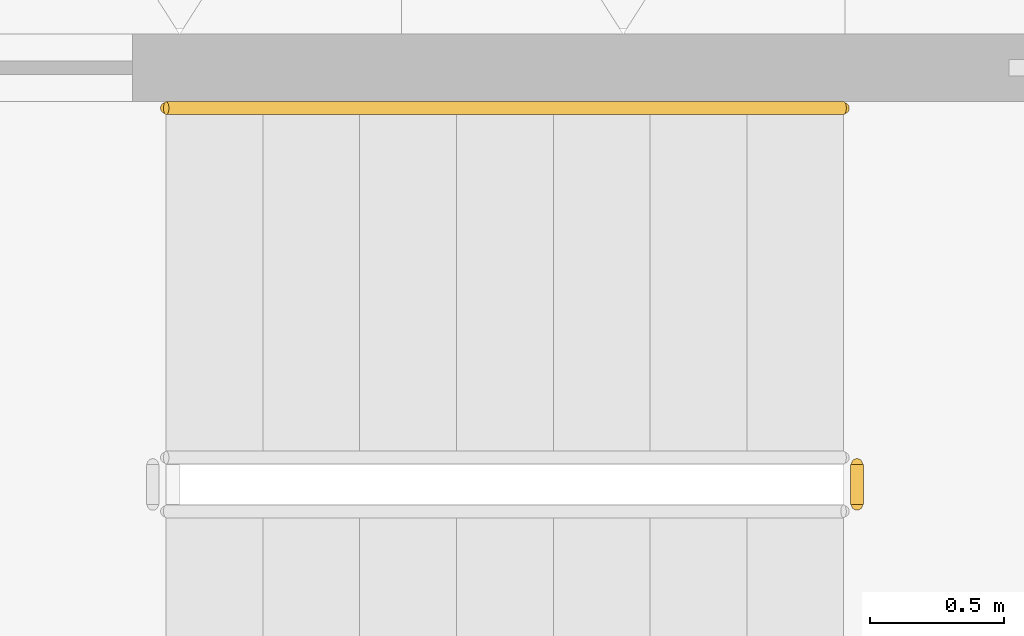
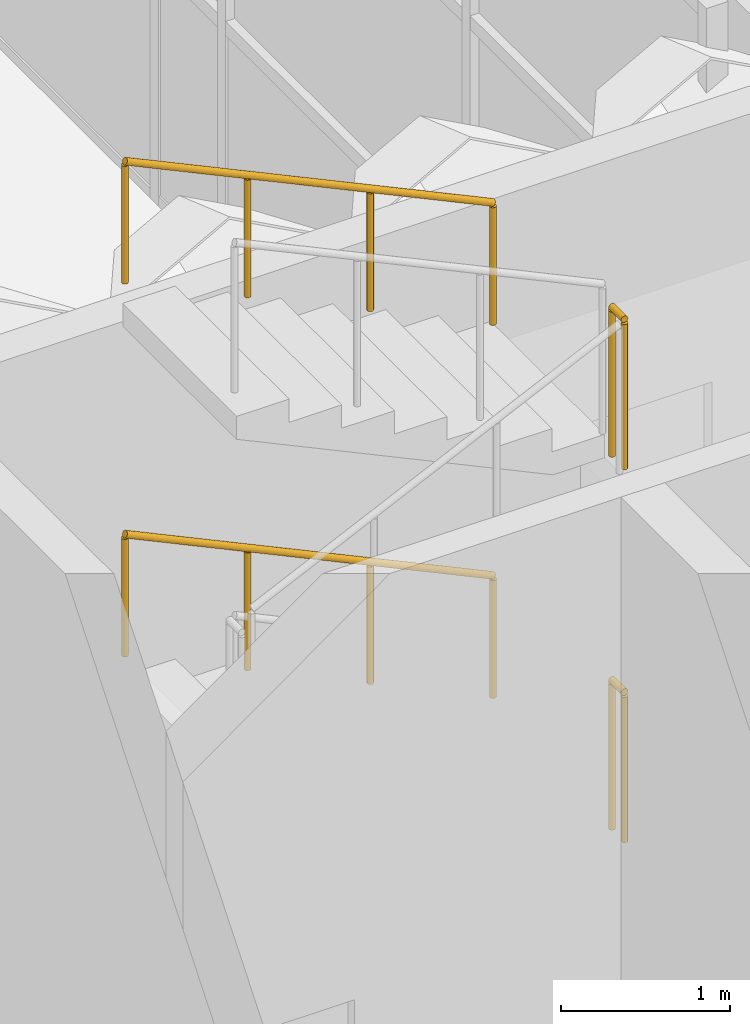
# One storey, part 51 of 85: 4 railings.
"""IFC4 building model written with IfcOpenShell, lengths in metres."""

from ifc_helpers import new_model, si_unit, direction, frame, origin, origin_2d, place, context, subcontext, project, spatial, circle, extrude, material, type_object, element, save


model = new_model("IFC4")

# Units and contexts
model_context = context("Model", 3, precision=1e-05, world=origin(), true_north=direction((0.0, 1.0)))
body_context = subcontext(model_context, "Body", "Model", "MODEL_VIEW")
ifc_project = project(units=[si_unit("LENGTHUNIT", "METRE"), si_unit("AREAUNIT", "SQUARE_METRE"), si_unit("VOLUMEUNIT", "CUBIC_METRE"), si_unit("PLANEANGLEUNIT", "RADIAN"), si_unit("MASSUNIT", "GRAM", prefix="KILO")], contexts=[model_context])

# Site, building, storey
site_placement = place(None, origin())
site = spatial("IfcSite", under=ifc_project, at=site_placement, CompositionType="ELEMENT")
building_placement = place(site_placement, origin())
building = spatial("IfcBuilding", under=site, at=building_placement, Name="Lantern Court Research Institute", CompositionType="ELEMENT")
storey_placement = place(building_placement, origin())
storey = spatial("IfcBuildingStorey", under=building, at=storey_placement, Name="L00", CompositionType="ELEMENT", Elevation=0.0)

# Railings
ifc_material_1 = material(Name="Structural steel S355", Category="steel")
railing_type_1 = type_object("IfcRailingType", Name="Stair guard 1100 steel", PredefinedType="GUARDRAIL", material=ifc_material_1)
for number, where, name in (
    (1, (37.169921875, 21.35009765625, 1.35009765625), "L00 ST-B3 stair guard 2"),
    (2, (37.169921875, 21.35009765625, 4.050048828125), "L00 ST-B3 stair guard 6"),
):
    element("IfcRailing", number, at=place(storey_placement, frame(where)), inside=storey, type_object=railing_type_1, Name=name, PredefinedType="GUARDRAIL", context=body_context, shape_type="SweptSolid", body=[
        extrude(circle(Radius=0.02392578125, at=origin_2d()), frame((0.0, 0.0, 1.076171875), z_axis=(0.0, 1.0, 0.0), x_axis=(-1.0, 0.0, 0.0)), (0.0, 0.0, 1.0), 0.14990234375),
        extrude(circle(Radius=0.02099609375, at=origin_2d()), origin(), (0.0, 0.0, 1.0), 1.052001953125),
        extrude(circle(Radius=0.02099609375, at=origin_2d()), frame((0.0, 0.14990234375, 0.0)), (0.0, 0.0, 1.0), 1.052001953125),
    ])
ifc_material_2 = material(Name="Stainless steel 316", Category="steel")
railing_type_2 = type_object("IfcRailingType", Name="Stair handrail 900 steel", PredefinedType="HANDRAIL", material=ifc_material_2)
for number, where, name in (
    (3, (37.1201171875, 22.824951171875, 1.518798828125), "L00 ST-B3 stair handrail 2"),
    (4, (37.1201171875, 22.824951171875, 4.21875), "L00 ST-B3 stair handrail 4"),
):
    element("IfcRailing", number, at=place(storey_placement, frame(where)), inside=storey, type_object=railing_type_2, Name=name, PredefinedType="HANDRAIL", context=body_context, shape_type="SweptSolid", body=[
        extrude(circle(Radius=0.02392578125, at=origin_2d()), frame((0.0, 0.0, 0.8759765625), z_axis=(-0.905473684625, 0.0, 0.424402410988), x_axis=(0.0, -1.0, 0.0)), (0.0, 0.0, 1.0), 2.783203125),
        extrude(circle(Radius=0.02099609375, at=origin_2d()), origin(), (0.0, 0.0, 1.0), 0.851806640625),
        extrude(circle(Radius=0.02099609375, at=origin_2d()), frame((-0.840087890625, 0.0, 0.393798828125)), (0.0, 0.0, 1.0), 0.851806640625),
        extrude(circle(Radius=0.02099609375, at=origin_2d()), frame((-1.679931640625, 0.0, 0.787353515625)), (0.0, 0.0, 1.0), 0.851806640625),
        extrude(circle(Radius=0.02099609375, at=origin_2d()), frame((-2.52001953125, 0.0, 1.18115234375)), (0.0, 0.0, 1.0), 0.851806640625),
    ])

save(model, "model.ifc")
